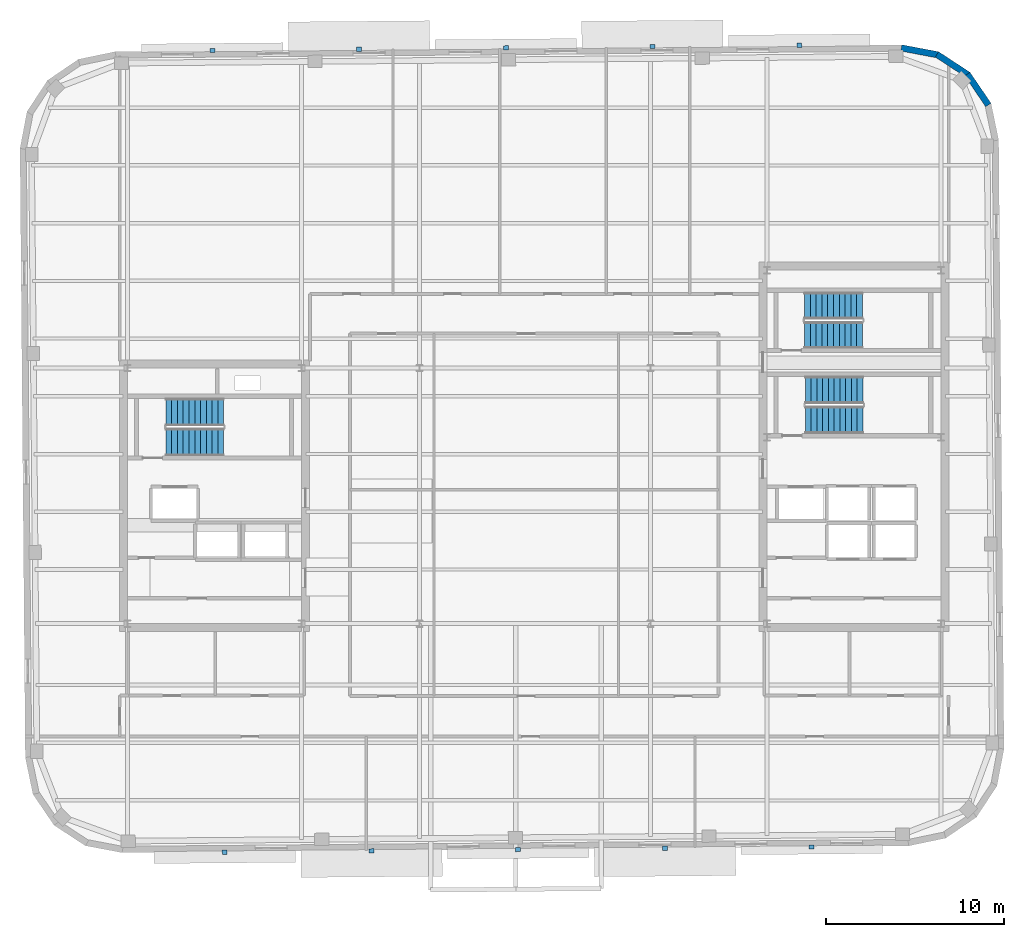
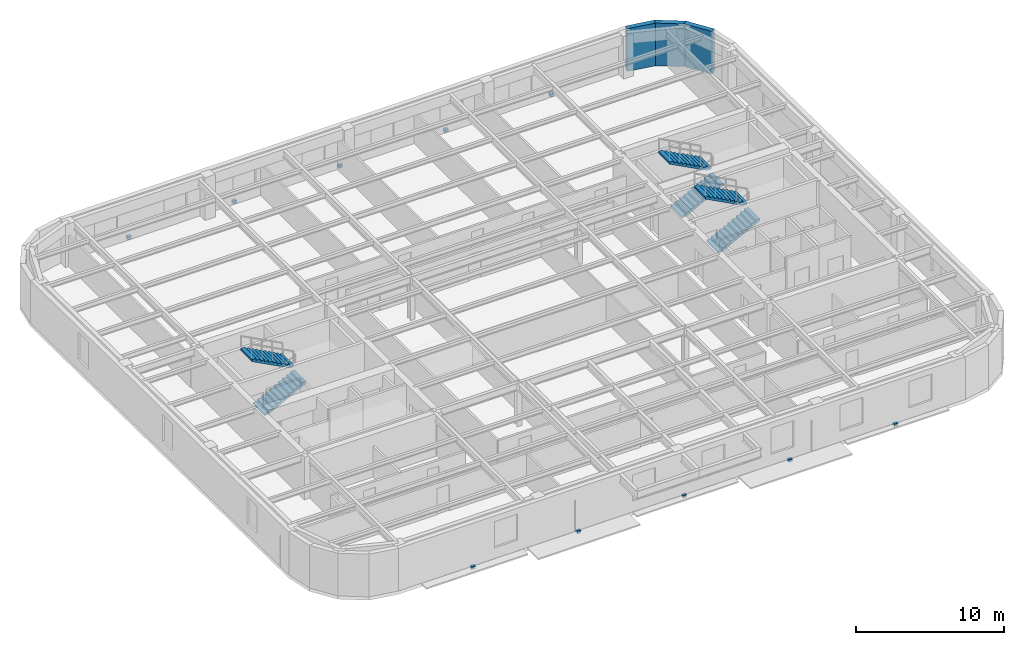
# One storey, part 10 of 14: 10 discrete accessories, 6 stair flights, 3 walls, 3 elements without a shape of their own.
"""IFC4 building model written with IfcOpenShell, lengths in metres."""

from ifc_helpers import new_model, si_unit, direction, frame, frame_2d, origin, origin_2d, place, context, subcontext, project, spatial, polyline, rectangle, outline, extrude, material, layer, layer_set, type_object, element, aggregate, save


model = new_model("IFC4")

# Units and contexts
model_context = context("Model", 3, precision=1e-05, world=origin(), true_north=direction((0.0, 1.0)))
body_context = subcontext(model_context, "Body", "Model", "MODEL_VIEW")
ifc_project = project(units=[si_unit("LENGTHUNIT", "METRE"), si_unit("AREAUNIT", "SQUARE_METRE"), si_unit("VOLUMEUNIT", "CUBIC_METRE"), si_unit("PLANEANGLEUNIT", "RADIAN"), si_unit("MASSUNIT", "GRAM", prefix="KILO")], contexts=[model_context])

# Site, building, storey
site_placement = place(None, origin())
site = spatial("IfcSite", under=ifc_project, at=site_placement, CompositionType="ELEMENT")
building_placement = place(site_placement, origin())
building = spatial("IfcBuilding", under=site, at=building_placement, Name="Kolvaren Arena Tower", CompositionType="ELEMENT")
storey_placement = place(building_placement, frame((0.0, 0.0, 308.64990234375)))
storey = spatial("IfcBuildingStorey", under=building, at=storey_placement, Name="L76", CompositionType="ELEMENT", Elevation=308.64990234375)

# Walls
ifc_material_1 = material(Name="Precast concrete C50/60", Category="concrete")
ifc_layer = layer(ifc_material_1, 0.360107421875)
ifc_layer_set = layer_set([ifc_layer], Name="Precast concrete C50/60")
wall_type = type_object("IfcWallType", Name="EXT-PIER2", PredefinedType="SOLIDWALL", material=ifc_layer_set)
wall_placement = place(storey_placement, frame((61.835693359375, 50.392822265625, 0.0), z_axis=(0.0, 0.0, 1.0), x_axis=(0.562829722645, -0.826572866302, 0.0)))
element("IfcWall", 1, at=wall_placement, inside=storey, type_object=wall_type, Name="Exterior Precast Masonry-Frame Wall (L76)", PredefinedType="SOLIDWALL", context=body_context, shape_type="SweptSolid", body=[
    extrude(rectangle(XDim=2.10693359375, YDim=0.360107421875, at=frame_2d((1.053466796875, 0.0))), origin(), (0.0, 0.0, 1.0), 3.510009765625),
])
for number, where, z_axis, x_axis, name in (
    (2, (60.123779296875, 51.498779296875, 0.0), (0.0, 0.0, 1.0), (0.83632188969, -0.548238722478, 0.0), "Exterior Precast Masonry-Frame Wall (L76)"),
    (3, (58.118896484375, 51.865478515625, 0.0), (0.0, 0.0, 1.0), (0.982463107022, -0.186457081764, 0.0), "Exterior Precast Masonry-Frame Wall (L76)"),
):
    element("IfcWall", number, at=place(storey_placement, frame(where, z_axis=z_axis, x_axis=x_axis)), inside=storey, type_object=wall_type, Name=name, PredefinedType="SOLIDWALL", context=body_context, shape_type="SweptSolid", body=[
        extrude(rectangle(XDim=2.106689453125, YDim=0.360107421875, at=frame_2d((1.05322265625, 0.0))), origin(), (0.0, 0.0, 1.0), 3.510009765625),
    ])

# Stair, stair flights
ifc_material_2 = material(Name="Concrete 45 MPa", Category="concrete")
stair_type_1 = type_object("IfcStairType", Name="STAIR-CORE-150", PredefinedType="HALF_TURN_STAIR", material=ifc_material_2)
stair_1_placement = place(storey_placement, origin())
stair_1 = element("IfcStair", 4, at=stair_1_placement, inside=storey, type_object=stair_type_1, Name="L76 ST-E2", PredefinedType="HALF_TURN_STAIR")
stair_flight_type_1 = type_object("IfcStairFlightType", Name="FLT-150", PredefinedType="STRAIGHT", material=ifc_material_2)
stair_flight_1_placement = place(storey_placement, frame((52.679931640625, 35.699951171875, 0.0), z_axis=(0.0, 0.0, 1.0), x_axis=(1.0, 0.0, 0.0)))
stair_flight_1 = element("IfcStairFlight", 5, at=stair_flight_1_placement, type_object=stair_flight_type_1, Name="ST-E2 flight 1", NumberOfRisers=11, NumberOfTreads=10, PredefinedType="STRAIGHT", RiserHeight=0.170454545, TreadLength=0.324, context=body_context, shape_type="SweptSolid", body=[
    extrude(outline(polyline([(0.0, 0.0), (0.0, 0.17041015625), (0.323974609375, 0.17041015625), (0.323974609375, 0.3408203125), (0.64794921875, 0.3408203125), (0.64794921875, 0.511474609375), (0.971923828125, 0.511474609375), (0.971923828125, 0.681884765625), (1.2958984375, 0.681884765625), (1.2958984375, 0.852294921875), (1.6201171875, 0.852294921875), (1.6201171875, 1.022705078125), (1.944091796875, 1.022705078125), (1.944091796875, 1.193115234375), (2.26806640625, 1.193115234375), (2.26806640625, 1.363525390625), (2.592041015625, 1.363525390625), (2.592041015625, 1.5341796875), (2.916015625, 1.5341796875), (2.916015625, 1.70458984375), (3.239990234375, 1.70458984375), (3.239990234375, 1.875), (3.239990234375, 1.53515625), (0.322021484375, 0.0), (0.0, 0.0)])), frame((0.0, 0.75, 0.0), z_axis=(0.0, -1.0, 0.0), x_axis=(1.0, 0.0, 0.0)), (0.0, 0.0, 1.0), 1.5),
])
stair_flight_2_placement = place(storey_placement, frame((55.919921875, 37.35009765625, 1.875), z_axis=(0.0, 0.0, 1.0), x_axis=(-1.0, 0.0, 0.0)))
stair_flight_2 = element("IfcStairFlight", 6, at=stair_flight_2_placement, type_object=stair_flight_type_1, Name="ST-E2 flight 2", NumberOfRisers=11, NumberOfTreads=10, PredefinedType="STRAIGHT", RiserHeight=0.170454545, TreadLength=0.324, context=body_context, shape_type="SweptSolid", body=[
    extrude(outline(polyline([(0.0, 0.0), (0.0, 0.17041015625), (0.323974609375, 0.17041015625), (0.323974609375, 0.3408203125), (0.64794921875, 0.3408203125), (0.64794921875, 0.511474609375), (0.971923828125, 0.511474609375), (0.971923828125, 0.681884765625), (1.2958984375, 0.681884765625), (1.2958984375, 0.852294921875), (1.6201171875, 0.852294921875), (1.6201171875, 1.022705078125), (1.944091796875, 1.022705078125), (1.944091796875, 1.193115234375), (2.26806640625, 1.193115234375), (2.26806640625, 1.363525390625), (2.592041015625, 1.363525390625), (2.592041015625, 1.5341796875), (2.916015625, 1.5341796875), (2.916015625, 1.70458984375), (3.239990234375, 1.70458984375), (3.239990234375, 1.875), (3.239990234375, 1.53515625), (0.322021484375, 0.0), (0.0, 0.0)])), frame((0.0, 0.75, 0.0), z_axis=(0.0, -1.0, 0.0), x_axis=(1.0, 0.0, 0.0)), (0.0, 0.0, 1.0), 1.5),
])
aggregate(stair_1, [stair_flight_1, stair_flight_2])

stair_type_2 = type_object("IfcStairType", Name="STAIR-CORE-165", PredefinedType="HALF_TURN_STAIR", material=ifc_material_2)
stair_2_placement = place(storey_placement, origin())
stair_2 = element("IfcStair", 7, at=stair_2_placement, inside=storey, type_object=stair_type_2, Name="L76 ST-W1", PredefinedType="HALF_TURN_STAIR")
stair_flight_type_2 = type_object("IfcStairFlightType", Name="FLT-165", PredefinedType="STRAIGHT", material=ifc_material_2)
stair_flight_3_placement = place(storey_placement, frame((16.719970703125, 29.669921875, 0.0), z_axis=(0.0, 0.0, 1.0), x_axis=(1.0, 0.0, 0.0)))
stair_flight_3 = element("IfcStairFlight", 8, at=stair_flight_3_placement, type_object=stair_flight_type_2, Name="ST-W1 flight 1", NumberOfRisers=11, NumberOfTreads=10, PredefinedType="STRAIGHT", RiserHeight=0.170454545, TreadLength=0.324, context=body_context, shape_type="SweptSolid", body=[
    extrude(outline(polyline([(0.0, 0.0), (0.0, 0.17041015625), (0.323974609375, 0.17041015625), (0.323974609375, 0.3408203125), (0.64794921875, 0.3408203125), (0.64794921875, 0.511474609375), (0.971923828125, 0.511474609375), (0.971923828125, 0.681884765625), (1.2958984375, 0.681884765625), (1.2958984375, 0.852294921875), (1.6201171875, 0.852294921875), (1.6201171875, 1.022705078125), (1.944091796875, 1.022705078125), (1.944091796875, 1.193115234375), (2.26806640625, 1.193115234375), (2.26806640625, 1.363525390625), (2.592041015625, 1.363525390625), (2.592041015625, 1.5341796875), (2.916015625, 1.5341796875), (2.916015625, 1.70458984375), (3.239990234375, 1.70458984375), (3.239990234375, 1.875), (3.239990234375, 1.53515625), (0.322021484375, 0.0), (0.0, 0.0)])), frame((0.0, 0.77001953125, 0.0), z_axis=(0.0, -1.0, 0.0), x_axis=(1.0, 0.0, 0.0)), (0.0, 0.0, 1.0), 1.5400390625),
])
stair_flight_4_placement = place(storey_placement, frame((19.9599609375, 31.360107421875, 1.875), z_axis=(0.0, 0.0, 1.0), x_axis=(-1.0, 0.0, 0.0)))
stair_flight_4 = element("IfcStairFlight", 9, at=stair_flight_4_placement, type_object=stair_flight_type_2, Name="ST-W1 flight 2", NumberOfRisers=11, NumberOfTreads=10, PredefinedType="STRAIGHT", RiserHeight=0.170454545, TreadLength=0.324, context=body_context, shape_type="SweptSolid", body=[
    extrude(outline(polyline([(0.0, 0.0), (0.0, 0.17041015625), (0.323974609375, 0.17041015625), (0.323974609375, 0.3408203125), (0.64794921875, 0.3408203125), (0.64794921875, 0.511474609375), (0.971923828125, 0.511474609375), (0.971923828125, 0.681884765625), (1.2958984375, 0.681884765625), (1.2958984375, 0.852294921875), (1.6201171875, 0.852294921875), (1.6201171875, 1.022705078125), (1.944091796875, 1.022705078125), (1.944091796875, 1.193115234375), (2.26806640625, 1.193115234375), (2.26806640625, 1.363525390625), (2.592041015625, 1.363525390625), (2.592041015625, 1.5341796875), (2.916015625, 1.5341796875), (2.916015625, 1.70458984375), (3.239990234375, 1.70458984375), (3.239990234375, 1.875), (3.239990234375, 1.53515625), (0.322021484375, 0.0), (0.0, 0.0)])), frame((0.0, 0.77001953125, 0.0), z_axis=(0.0, -1.0, 0.0), x_axis=(1.0, 0.0, 0.0)), (0.0, 0.0, 1.0), 1.5400390625),
])
aggregate(stair_2, [stair_flight_3, stair_flight_4])

stair_3_placement = place(storey_placement, origin())
stair_3 = element("IfcStair", 10, at=stair_3_placement, inside=storey, type_object=stair_type_2, Name="L76 ST-E1", PredefinedType="HALF_TURN_STAIR")
stair_flight_5_placement = place(storey_placement, frame((52.719970703125, 30.919921875, 0.0), z_axis=(0.0, 0.0, 1.0), x_axis=(1.0, 0.0, 0.0)))
stair_flight_5 = element("IfcStairFlight", 11, at=stair_flight_5_placement, type_object=stair_flight_type_2, Name="ST-E1 flight 1", NumberOfRisers=11, NumberOfTreads=10, PredefinedType="STRAIGHT", RiserHeight=0.170454545, TreadLength=0.324, context=body_context, shape_type="SweptSolid", body=[
    extrude(outline(polyline([(0.0, 0.0), (0.0, 0.17041015625), (0.323974609375, 0.17041015625), (0.323974609375, 0.3408203125), (0.64794921875, 0.3408203125), (0.64794921875, 0.511474609375), (0.971923828125, 0.511474609375), (0.971923828125, 0.681884765625), (1.2958984375, 0.681884765625), (1.2958984375, 0.852294921875), (1.6201171875, 0.852294921875), (1.6201171875, 1.022705078125), (1.944091796875, 1.022705078125), (1.944091796875, 1.193115234375), (2.26806640625, 1.193115234375), (2.26806640625, 1.363525390625), (2.592041015625, 1.363525390625), (2.592041015625, 1.5341796875), (2.916015625, 1.5341796875), (2.916015625, 1.70458984375), (3.239990234375, 1.70458984375), (3.239990234375, 1.875), (3.239990234375, 1.53515625), (0.322021484375, 0.0), (0.0, 0.0)])), frame((0.0, 0.77001953125, 0.0), z_axis=(0.0, -1.0, 0.0), x_axis=(1.0, 0.0, 0.0)), (0.0, 0.0, 1.0), 1.5400390625),
])
stair_flight_6_placement = place(storey_placement, frame((55.9599609375, 32.610107421875, 1.875), z_axis=(0.0, 0.0, 1.0), x_axis=(-1.0, 0.0, 0.0)))
stair_flight_6 = element("IfcStairFlight", 12, at=stair_flight_6_placement, type_object=stair_flight_type_2, Name="ST-E1 flight 2", NumberOfRisers=11, NumberOfTreads=10, PredefinedType="STRAIGHT", RiserHeight=0.170454545, TreadLength=0.324, context=body_context, shape_type="SweptSolid", body=[
    extrude(outline(polyline([(0.0, 0.0), (0.0, 0.17041015625), (0.323974609375, 0.17041015625), (0.323974609375, 0.3408203125), (0.64794921875, 0.3408203125), (0.64794921875, 0.511474609375), (0.971923828125, 0.511474609375), (0.971923828125, 0.681884765625), (1.2958984375, 0.681884765625), (1.2958984375, 0.852294921875), (1.6201171875, 0.852294921875), (1.6201171875, 1.022705078125), (1.944091796875, 1.022705078125), (1.944091796875, 1.193115234375), (2.26806640625, 1.193115234375), (2.26806640625, 1.363525390625), (2.592041015625, 1.363525390625), (2.592041015625, 1.5341796875), (2.916015625, 1.5341796875), (2.916015625, 1.70458984375), (3.239990234375, 1.70458984375), (3.239990234375, 1.875), (3.239990234375, 1.53515625), (0.322021484375, 0.0), (0.0, 0.0)])), frame((0.0, 0.77001953125, 0.0), z_axis=(0.0, -1.0, 0.0), x_axis=(1.0, 0.0, 0.0)), (0.0, 0.0, 1.0), 1.5400390625),
])
aggregate(stair_3, [stair_flight_5, stair_flight_6])

# Discrete accessories
ifc_material_3 = material(Name="Stainless steel facade support bracket", Category="steel")
discrete_accessory_type = type_object("IfcDiscreteAccessoryType", Name="ACC-BRKT-1", PredefinedType="BRACKET", material=ifc_material_3)
for number, where, z_axis, x_axis, name in (
    (13, (19.333740234375, 51.7236328125, -0.1796875), (0.0, 0.0, 1.0), (0.999961923064, 0.008726535498, 0.0), "Sunshade Support Bracket (L76)"),
    (14, (27.593505859375, 51.795654296875, -0.1796875), (0.0, 0.0, 1.0), (0.999961923064, 0.008726535498, 0.0), "Sunshade Support Bracket (L76)"),
    (15, (35.85302734375, 51.867919921875, -0.1796875), (0.0, 0.0, 1.0), (0.999961923064, 0.008726535498, 0.0), "Sunshade Support Bracket (L76)"),
    (16, (44.11279296875, 51.93994140625, -0.1796875), (0.0, 0.0, 1.0), (0.999961923064, 0.008726535498, 0.0), "Sunshade Support Bracket (L76)"),
    (17, (52.372314453125, 52.011962890625, -0.1796875), (0.0, 0.0, 1.0), (0.999961923064, 0.008726535498, 0.0), "Sunshade Support Bracket (L76)"),
    (18, (53.06640625, 6.87646484375, -0.1796875), (0.0, 0.0, 1.0), (-0.999961923064, -0.008726535498, 0.0), "Sunshade Support Bracket (L76)"),
    (19, (44.806640625, 6.80419921875, -0.1796875), (0.0, 0.0, 1.0), (-0.999961923064, -0.008726535498, 0.0), "Sunshade Support Bracket (L76)"),
    (20, (36.546875, 6.732177734375, -0.1796875), (0.0, 0.0, 1.0), (-0.999961923064, -0.008726535498, 0.0), "Sunshade Support Bracket (L76)"),
    (21, (28.287109375, 6.66015625, -0.1796875), (0.0, 0.0, 1.0), (-0.999961923064, -0.008726535498, 0.0), "Sunshade Support Bracket (L76)"),
    (22, (20.027587890625, 6.587890625, -0.1796875), (0.0, 0.0, 1.0), (-0.999961923064, -0.008726535498, 0.0), "Sunshade Support Bracket (L76)"),
):
    element("IfcDiscreteAccessory", number, at=place(storey_placement, frame(where, z_axis=z_axis, x_axis=x_axis)), inside=storey, type_object=discrete_accessory_type, Name=name, PredefinedType="BRACKET", context=body_context, shape_type="SweptSolid", body=[
        extrude(rectangle(XDim=0.280029296875, YDim=0.239990234375, at=origin_2d()), origin(), (0.0, 0.0, 1.0), 0.239990234375),
    ])

save(model, "model.ifc")
